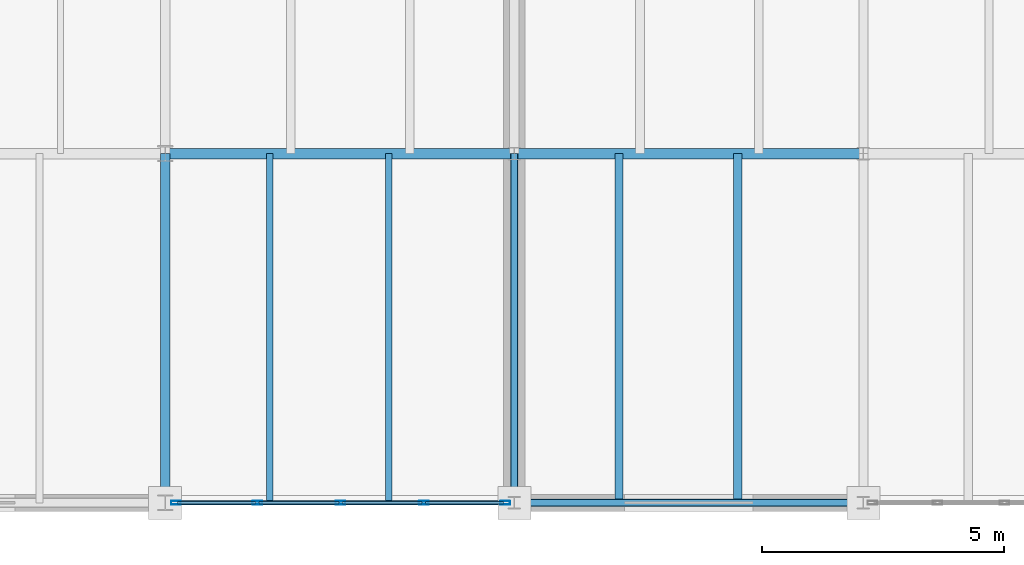
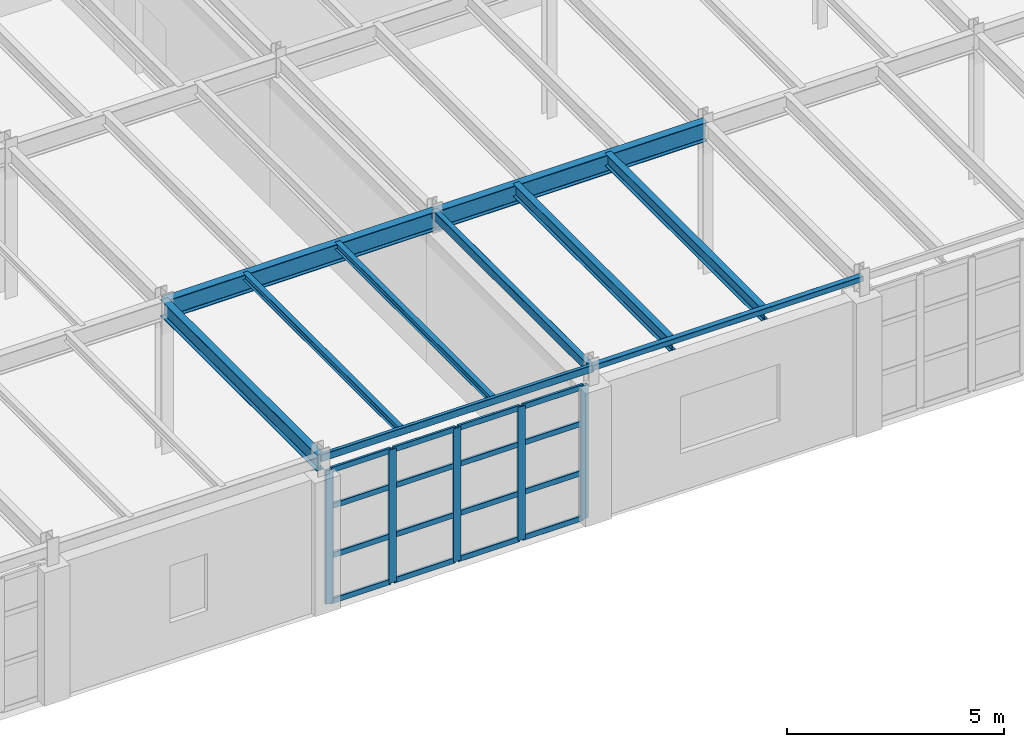
# One storey, part 29 of 137: 21 members, 10 beams, 1 element without a shape of its own.
"""IFC4 building model written with IfcOpenShell, lengths in metres."""

import ifcopenshell
import ifcopenshell.guid

model = None  # the IFC model being written
_history = None  # IfcOwnerHistory: only IFC2X3 demands one
_inside = {}  # id of a spatial element -> (the spatial element, [elements in it])
_under = {}  # id of a project, library or spatial element -> (it, [spatial elements below it])
_declared = {}  # id of a project -> (the project, [libraries it declares])
_typed = {}  # id of a type object -> (the type object, [elements of that type])
_made_of = {}  # id of a material, layer set ... -> (it, [elements and type objects made of it])


def new_model(schema):
    """Start an empty IFC model of exactly this schema.

    Asked for "IFC4X3", IfcOpenShell would pick the latest addendum, in which some entities
    have other attributes; the version numbers below select the first issue.
    IFC2X3 requires an IfcOwnerHistory on every rooted entity: one is made here for all.
    """
    global model, _history
    if schema == "IFC4X3":
        model = ifcopenshell.file(schema_version=(4, 3, 0, 0))
    else:
        model = ifcopenshell.file(schema=schema)
    _inside.clear()
    _under.clear()
    _declared.clear()
    _typed.clear()
    _made_of.clear()
    _history = None
    if model.schema == "IFC2X3":
        org = make("IfcOrganization", Name="unknown")
        user = make(
            "IfcPersonAndOrganization",
            ThePerson=make("IfcPerson", FamilyName="unknown"),
            TheOrganization=org,
        )
        app = make(
            "IfcApplication",
            ApplicationDeveloper=org,
            Version="unknown",
            ApplicationFullName="unknown",
            ApplicationIdentifier="unknown",
        )
        _history = make(
            "IfcOwnerHistory",
            OwningUser=user,
            OwningApplication=app,
            ChangeAction="ADDED",
            CreationDate=0,
        )
    return model


def make(cls, **values):
    """One entity of the class cls with the attributes given. An attribute that is None is left unset."""
    return model.create_entity(
        cls, **{name: value for name, value in values.items() if value is not None}
    )


def rooted(cls, **values):
    """An entity with a GlobalId (a new one), such as an element, a storey or a relation."""
    return make(cls, GlobalId=ifcopenshell.guid.new(), OwnerHistory=_history, **values)


def si_unit(unit_type, name, prefix=None):
    """IfcSIUnit, for example si_unit("LENGTHUNIT", "METRE", prefix="MILLI")."""
    return make("IfcSIUnit", UnitType=unit_type, Prefix=prefix, Name=name)


def assignment(units):
    """IfcUnitAssignment: the units of a project."""
    return None if units is None else make("IfcUnitAssignment", Units=units)


def point(xyz):
    """IfcCartesianPoint."""
    return None if xyz is None else make("IfcCartesianPoint", Coordinates=xyz)


def direction(xyz):
    """IfcDirection."""
    return None if xyz is None else make("IfcDirection", DirectionRatios=xyz)


def frame(location, z_axis=None, x_axis=None):
    """IfcAxis2Placement3D, a coordinate frame: its origin and axes. An axis left out is left unset."""
    return make(
        "IfcAxis2Placement3D",
        Location=point(location),
        Axis=direction(z_axis),
        RefDirection=direction(x_axis),
    )


def frame_2d(location, x_axis=None):
    """IfcAxis2Placement2D, a coordinate frame in the plane: its origin and x axis."""
    return make(
        "IfcAxis2Placement2D", Location=point(location), RefDirection=direction(x_axis)
    )


def origin():
    """The frame at (0, 0, 0) with its axes left unset."""
    return frame((0.0, 0.0, 0.0))


def origin_2d():
    """The frame at (0, 0) in the plane with its x axis left unset."""
    return frame_2d((0.0, 0.0))


def place(relative_to, where):
    """IfcLocalPlacement: puts the frame where relative to a parent placement (None: the world)."""
    return make(
        "IfcLocalPlacement", PlacementRelTo=relative_to, RelativePlacement=where
    )


def context(
    kind, dimensions, precision=None, world=None, true_north=None, identifier=None
):
    """IfcGeometricRepresentationContext, for example the 3D "Model" context."""
    return make(
        "IfcGeometricRepresentationContext",
        ContextIdentifier=identifier,
        ContextType=kind,
        CoordinateSpaceDimension=dimensions,
        Precision=precision,
        WorldCoordinateSystem=world,
        TrueNorth=true_north,
    )


def subcontext(parent, identifier, kind, view, scale=None):
    """IfcGeometricRepresentationSubContext, for example "Body" below "Model"."""
    return make(
        "IfcGeometricRepresentationSubContext",
        ContextIdentifier=identifier,
        ContextType=kind,
        ParentContext=parent,
        TargetScale=scale,
        TargetView=view,
    )


def project(units=None, contexts=None):
    """IfcProject with its units and contexts."""
    return rooted(
        "IfcProject",
        Name="project",
        RepresentationContexts=contexts,
        UnitsInContext=assignment(units),
    )


def spatial(cls, under=None, at=None, **own):
    """A site, building, storey or space (cls), placed at a placement, below another one or the project."""
    s = rooted(cls, ObjectPlacement=at, **own)
    if under is not None:
        _under.setdefault(under.id(), (under, []))[1].append(s)
    return s


def profile(cls, at=None, kind="AREA", **sizes):
    """A parametric profile (cls). Its sizes go by their IFC names, for example OverallWidth=200.0."""
    return make(cls, ProfileType=kind, Position=at, **sizes)


def hollow_rectangle(**sizes):
    """IfcRectangleHollowProfileDef."""
    return profile("IfcRectangleHollowProfileDef", **sizes)


def i_section(**sizes):
    """IfcIShapeProfileDef."""
    return profile("IfcIShapeProfileDef", **sizes)


def extrude(swept, where, along, depth):
    """IfcExtrudedAreaSolid: the profile swept, set in the frame where, extruded along a direction by depth."""
    return make(
        "IfcExtrudedAreaSolid",
        SweptArea=swept,
        Position=where,
        ExtrudedDirection=direction(along),
        Depth=depth,
    )


def shape(context_of_items, identifier, shape_type, items):
    """IfcShapeRepresentation: the items that make up one representation, for example the "Body"."""
    return make(
        "IfcShapeRepresentation",
        ContextOfItems=context_of_items,
        RepresentationIdentifier=identifier,
        RepresentationType=shape_type,
        Items=items,
    )


def material(Name=None, Category=None):
    """IfcMaterial."""
    return make("IfcMaterial", Name=Name, Category=Category)


def layer(
    of_material, thickness, ventilated=None, Name=None, Category=None, Priority=None
):
    """IfcMaterialLayer: one layer of a wall or slab, of a material (None: an air gap)."""
    return make(
        "IfcMaterialLayer",
        Material=of_material,
        LayerThickness=thickness,
        IsVentilated=ventilated,
        Name=Name,
        Category=Category,
        Priority=Priority,
    )


def layer_set(layers, Name=None):
    """IfcMaterialLayerSet."""
    return make("IfcMaterialLayerSet", MaterialLayers=layers, LayerSetName=Name)


def material_profile(
    of_material, cross_section, Name=None, Category=None, Priority=None
):
    """IfcMaterialProfile: a cross section and its material."""
    return make(
        "IfcMaterialProfile",
        Name=Name,
        Material=of_material,
        Profile=cross_section,
        Priority=Priority,
        Category=Category,
    )


def profile_set(profiles, Name=None, composite=None):
    """IfcMaterialProfileSet."""
    return make(
        "IfcMaterialProfileSet",
        Name=Name,
        MaterialProfiles=profiles,
        CompositeProfile=composite,
    )


def made_of(thing, what):
    """Note that an element or type object is made of a material, layer set ...; save() writes the relation."""
    if what is not None:
        _made_of.setdefault(what.id(), (what, []))[1].append(thing)
    return thing


def type_object(cls, material=None, **own):
    """A type object (cls), such as IfcWallType, which elements share."""
    return made_of(rooted(cls, **own), material)


def element(
    cls,
    number,
    at=None,
    inside=None,
    cuts=None,
    type_object=None,
    material=None,
    context=None,
    identifier="Body",
    shape_type=None,
    held_by="IfcProductDefinitionShape",
    body=None,
    shapes=None,
    **own,
):
    """One element of the class cls, such as IfcWall. Its Tag is "e" and its number.

    at: its placement. inside: the storey or other place that contains it. cuts: it is an
    opening in that element (IfcRelVoidsElement). A single representation is given by context,
    identifier, shape_type and body (its items); several are given by shapes. held_by: the class
    of the entity that holds the representations. save() writes the other relations.
    """
    e = rooted(cls, Tag="e%d" % number, ObjectPlacement=at, **own)
    if body is not None:
        shapes = [shape(context, identifier, shape_type, body)]
    if shapes is not None:
        e.Representation = make(held_by, Representations=shapes)
    if inside is not None:
        _inside.setdefault(inside.id(), (inside, []))[1].append(e)
    if cuts is not None:
        rooted(
            "IfcRelVoidsElement", RelatingBuildingElement=cuts, RelatedOpeningElement=e
        )
    if type_object is not None:
        _typed.setdefault(type_object.id(), (type_object, []))[1].append(e)
    return made_of(e, material)


def aggregate(whole, parts):
    """IfcRelAggregates: a whole, such as a stair, and the parts it consists of."""
    return rooted("IfcRelAggregates", RelatingObject=whole, RelatedObjects=parts)


def save(model, path):
    """Write the relations noted so far, then the file.

    IfcRelAggregates (storeys below a building ...), IfcRelContainedInSpatialStructure (elements
    in a storey), IfcRelDefinesByType, IfcRelAssociatesMaterial and IfcRelDeclares: one each for
    every whole, place, type object, material and project.
    """
    for whole, parts in _under.values():
        aggregate(whole, parts)
    for where, things in _inside.values():
        rooted(
            "IfcRelContainedInSpatialStructure",
            RelatedElements=things,
            RelatingStructure=where,
        )
    for kind, things in _typed.values():
        rooted("IfcRelDefinesByType", RelatedObjects=things, RelatingType=kind)
    for what, things in _made_of.values():
        rooted("IfcRelAssociatesMaterial", RelatedObjects=things, RelatingMaterial=what)
    for by, libraries in _declared.values():
        rooted("IfcRelDeclares", RelatingContext=by, RelatedDefinitions=libraries)
    model.write(path)


model = new_model("IFC4")

# Units and contexts
model_context = context("Model", 3, precision=1e-05, world=origin(), true_north=direction((0.0, 1.0)))
body_context = subcontext(model_context, "Body", "Model", "MODEL_VIEW")
ifc_project = project(units=[si_unit("LENGTHUNIT", "METRE"), si_unit("AREAUNIT", "SQUARE_METRE"), si_unit("VOLUMEUNIT", "CUBIC_METRE"), si_unit("PLANEANGLEUNIT", "RADIAN"), si_unit("MASSUNIT", "GRAM", prefix="KILO")], contexts=[model_context])

# Site, building, storey
site_placement = place(None, origin())
site = spatial("IfcSite", under=ifc_project, at=site_placement, CompositionType="ELEMENT")
building_placement = place(site_placement, origin())
building = spatial("IfcBuilding", under=site, at=building_placement, Name="Kemerveld Promenade Tramway Depot", CompositionType="ELEMENT")
storey_placement = place(building_placement, frame((0.0, 0.0, 5.39990234375)))
storey = spatial("IfcBuildingStorey", under=building, at=storey_placement, Name="L01", CompositionType="ELEMENT", Elevation=5.39990234375)

# Beams
ifc_material_1 = material(Name="Steel S355", Category="steel")
ifc_material_profile_1 = material_profile(ifc_material_1, i_section(OverallWidth=0.2099609375, OverallDepth=0.53662109375, WebThickness=0.0107421875, FlangeThickness=0.017333984375, FilletRadius=0.0126953125, at=origin_2d()), Name="533x210x101 UB")
ifc_profile_set_1 = profile_set([ifc_material_profile_1], Name="Steel S355")
beam_type_1 = type_object("IfcBeamType", Name="BM-G05", PredefinedType="BEAM", material=ifc_profile_set_1)
beam_1_placement = place(storey_placement, frame((50.39990234375, 7.199951171875, 3.99169921875), z_axis=(1.0, 0.0, 0.0), x_axis=(0.0, 1.0, 0.0)))
element("IfcBeam", 1, at=beam_1_placement, inside=storey, type_object=beam_type_1, Name="BMX-L01-08-09-B", PredefinedType="BEAM", context=body_context, shape_type="SweptSolid", body=[
    extrude(i_section(OverallWidth=0.2099609375, OverallDepth=0.53662109375, WebThickness=0.0107421875, FlangeThickness=0.017333984375, FilletRadius=0.0126953125, at=origin_2d()), origin(), (0.0, 0.0, 1.0), 7.2001953125),
])
beam_2_placement = place(storey_placement, frame((57.60009765625, 7.199951171875, 3.981689453125), z_axis=(1.0, 0.0, 0.0), x_axis=(0.0, 1.0, 0.0)))
element("IfcBeam", 2, at=beam_2_placement, inside=storey, type_object=beam_type_1, Name="BMX-L01-09-10-B", PredefinedType="BEAM", context=body_context, shape_type="SweptSolid", body=[
    extrude(i_section(OverallWidth=0.2099609375, OverallDepth=0.53662109375, WebThickness=0.0107421875, FlangeThickness=0.017333984375, FilletRadius=0.0126953125, at=origin_2d()), origin(), (0.0, 0.0, 1.0), 7.199951171875),
])
ifc_material_profile_2 = material_profile(ifc_material_1, i_section(OverallWidth=0.19140625, OverallDepth=0.4599609375, WebThickness=0.010009765625, FlangeThickness=0.01611328125, FilletRadius=0.01025390625, at=origin_2d()), Name="457x191x82 UB")
ifc_profile_set_2 = profile_set([ifc_material_profile_2], Name="Steel S355")
beam_type_2 = type_object("IfcBeamType", Name="BM-G06", PredefinedType="BEAM", material=ifc_profile_set_2)
beam_3_placement = place(storey_placement, frame((50.39990234375, 0.0, 4.030029296875), z_axis=(0.0, 1.0, 0.0), x_axis=(-1.0, 0.0, 0.0)))
element("IfcBeam", 3, at=beam_3_placement, inside=storey, type_object=beam_type_2, Name="BMY-L01-08-A-B", PredefinedType="BEAM", context=body_context, shape_type="SweptSolid", body=[
    extrude(i_section(OverallWidth=0.19140625, OverallDepth=0.4599609375, WebThickness=0.010009765625, FlangeThickness=0.01611328125, FilletRadius=0.01025390625, at=origin_2d()), origin(), (0.0, 0.0, 1.0), 7.199951171875),
])
ifc_material_profile_3 = material_profile(ifc_material_1, i_section(OverallWidth=0.13330078125, OverallDepth=0.203125, WebThickness=0.005615234375, FlangeThickness=0.0078125, FilletRadius=0.007568359375, at=origin_2d()), Name="203x133x25 UB")
ifc_profile_set_3 = profile_set([ifc_material_profile_3], Name="Steel S355")
beam_type_3 = type_object("IfcBeamType", Name="BM-J03", PredefinedType="JOIST", material=ifc_profile_set_3)
for number, where, z_axis, x_axis, name in (
    (4, (52.56005859375, 0.0, 4.158447265625), (0.0, 1.0, 0.0), (-1.0, 0.0, 0.0), "JST-L01-08-A-1"),
    (5, (55.008056640625, 0.0, 4.158447265625), (0.0, 1.0, 0.0), (-1.0, 0.0, 0.0), "JST-L01-08-A-2"),
):
    element("IfcBeam", number, at=place(storey_placement, frame(where, z_axis=z_axis, x_axis=x_axis)), inside=storey, type_object=beam_type_3, Name=name, PredefinedType="JOIST", context=body_context, shape_type="SweptSolid", body=[
        extrude(i_section(OverallWidth=0.13330078125, OverallDepth=0.203125, WebThickness=0.005615234375, FlangeThickness=0.0078125, FilletRadius=0.007568359375, at=origin_2d()), origin(), (0.0, 0.0, 1.0), 7.199951171875),
    ])
ifc_material_profile_4 = material_profile(ifc_material_1, i_section(OverallWidth=0.172119140625, OverallDepth=0.35791015625, WebThickness=0.008056640625, FlangeThickness=0.012939453125, FilletRadius=0.01025390625, at=origin_2d()), Name="356x171x57 UB")
ifc_profile_set_4 = profile_set([ifc_material_profile_4], Name="Steel S355")
beam_type_4 = type_object("IfcBeamType", Name="BM-J04", PredefinedType="JOIST", material=ifc_profile_set_4)
for number, where, z_axis, x_axis, name in (
    (6, (59.760009765625, 0.0, 4.071044921875), (0.0, 1.0, 0.0), (-1.0, 0.0, 0.0), "JST-L01-09-A-1"),
    (7, (62.2080078125, 0.0, 4.071044921875), (0.0, 1.0, 0.0), (-1.0, 0.0, 0.0), "JST-L01-09-A-2"),
):
    element("IfcBeam", number, at=place(storey_placement, frame(where, z_axis=z_axis, x_axis=x_axis)), inside=storey, type_object=beam_type_4, Name=name, PredefinedType="JOIST", context=body_context, shape_type="SweptSolid", body=[
        extrude(i_section(OverallWidth=0.172119140625, OverallDepth=0.35791015625, WebThickness=0.008056640625, FlangeThickness=0.012939453125, FilletRadius=0.01025390625, at=origin_2d()), origin(), (0.0, 0.0, 1.0), 7.199951171875),
    ])
ifc_material_profile_5 = material_profile(ifc_material_1, hollow_rectangle(XDim=0.14990234375, YDim=0.25, WallThickness=0.010009765625, InnerFilletRadius=0.0048828125, OuterFilletRadius=0.014892578125, at=origin_2d()), Name="250x150x10.0 RHS")
ifc_profile_set_5 = profile_set([ifc_material_profile_5], Name="Steel S355")
beam_type_5 = type_object("IfcBeamType", Name="BM-SP2", PredefinedType="SPANDREL", material=ifc_profile_set_5)
beam_4_placement = place(storey_placement, frame((57.60009765625, 0.0, 4.135009765625), z_axis=(0.0, 1.0, 0.0), x_axis=(-1.0, 0.0, 0.0)))
element("IfcBeam", 8, at=beam_4_placement, inside=storey, type_object=beam_type_5, Name="BMY-L01-09-A-B", PredefinedType="SPANDREL", context=body_context, shape_type="SweptSolid", body=[
    extrude(hollow_rectangle(XDim=0.14990234375, YDim=0.25, WallThickness=0.010009765625, InnerFilletRadius=0.0048828125, OuterFilletRadius=0.014892578125, at=origin_2d()), origin(), (0.0, 0.0, 1.0), 7.199951171875),
])
ifc_material_profile_6 = material_profile(ifc_material_1, hollow_rectangle(XDim=0.10009765625, YDim=0.199951171875, WallThickness=0.008056640625, InnerFilletRadius=0.00390625, OuterFilletRadius=0.011962890625, at=origin_2d()), Name="200x100x8.0 RHS")
ifc_profile_set_6 = profile_set([ifc_material_profile_6], Name="Steel S355")
beam_type_6 = type_object("IfcBeamType", Name="BM-SP3", PredefinedType="SPANDREL", material=ifc_profile_set_6)
beam_5_placement = place(storey_placement, frame((50.39990234375, 0.0, 4.16015625), z_axis=(1.0, 0.0, 0.0), x_axis=(0.0, 1.0, 0.0)))
element("IfcBeam", 9, at=beam_5_placement, inside=storey, type_object=beam_type_6, Name="BMX-L01-08-09-A", PredefinedType="SPANDREL", context=body_context, shape_type="SweptSolid", body=[
    extrude(hollow_rectangle(XDim=0.10009765625, YDim=0.199951171875, WallThickness=0.008056640625, InnerFilletRadius=0.00390625, OuterFilletRadius=0.011962890625, at=origin_2d()), origin(), (0.0, 0.0, 1.0), 7.2001953125),
])
ifc_material_profile_7 = material_profile(ifc_material_1, hollow_rectangle(XDim=0.14990234375, YDim=0.14990234375, WallThickness=0.008056640625, InnerFilletRadius=0.00390625, OuterFilletRadius=0.011962890625, at=origin_2d()), Name="150x150x8.0 SHS")
ifc_profile_set_7 = profile_set([ifc_material_profile_7], Name="Steel S355")
beam_type_7 = type_object("IfcBeamType", Name="BM-SP4", PredefinedType="SPANDREL", material=ifc_profile_set_7)
beam_6_placement = place(storey_placement, frame((57.60009765625, 0.0, 4.18505859375), z_axis=(1.0, 0.0, 0.0), x_axis=(0.0, 1.0, 0.0)))
element("IfcBeam", 10, at=beam_6_placement, inside=storey, type_object=beam_type_7, Name="BMX-L01-09-10-A", PredefinedType="SPANDREL", context=body_context, shape_type="SweptSolid", body=[
    extrude(hollow_rectangle(XDim=0.14990234375, YDim=0.14990234375, WallThickness=0.008056640625, InnerFilletRadius=0.00390625, OuterFilletRadius=0.011962890625, at=origin_2d()), origin(), (0.0, 0.0, 1.0), 7.199951171875),
])

# Curtain wall, members
ifc_material_2 = material(Name="Bronze anodised aluminium and solar glass", Category="aluminium")
ifc_layer = layer(ifc_material_2, 0.199951171875)
ifc_layer_set = layer_set([ifc_layer], Name="CW-SYS-04")
curtain_wall_type = type_object("IfcCurtainWallType", Name="CW-SYS-04", PredefinedType="USERDEFINED", material=ifc_layer_set)
curtain_wall_placement = place(storey_placement, origin())
curtain_wall = element("IfcCurtainWall", 11, at=curtain_wall_placement, inside=storey, type_object=curtain_wall_type, Name="CW-L01-V5S-01", ObjectType="GLAZED_CURTAIN_WALL", PredefinedType="USERDEFINED")
ifc_material_3 = material(Name="Bronze anodised aluminium", Category="aluminium")
ifc_material_profile_8 = material_profile(ifc_material_3, hollow_rectangle(XDim=0.074951171875, YDim=0.199951171875, WallThickness=0.0048828125, InnerFilletRadius=0.001953125, OuterFilletRadius=0.0048828125, at=origin_2d()), Name="CW-MUL-200x75")
ifc_profile_set_8 = profile_set([ifc_material_profile_8], Name="Bronze anodised aluminium")
member_type_1 = type_object("IfcMemberType", Name="CW-MUL-B", PredefinedType="MULLION", material=ifc_profile_set_8)
member_1_placement = place(storey_placement, frame((57.412353515625, 0.0, 0.0), z_axis=(0.0, 0.0, 1.0), x_axis=(0.0, -1.0, 0.0)))
member_1 = element("IfcMember", 12, at=member_1_placement, type_object=member_type_1, Name="CW04 mullion 1", PredefinedType="MULLION", context=body_context, shape_type="SweptSolid", body=[
    extrude(hollow_rectangle(XDim=0.074951171875, YDim=0.199951171875, WallThickness=0.0048828125, InnerFilletRadius=0.001953125, OuterFilletRadius=0.0048828125, at=origin_2d()), origin(), (0.0, 0.0, 1.0), 3.75),
])
member_2_placement = place(storey_placement, frame((55.7333984375, 0.0, 0.0), z_axis=(0.0, 0.0, 1.0), x_axis=(0.0, -1.0, 0.0)))
member_2 = element("IfcMember", 13, at=member_2_placement, type_object=member_type_1, Name="CW04 mullion 2", PredefinedType="MULLION", context=body_context, shape_type="SweptSolid", body=[
    extrude(hollow_rectangle(XDim=0.074951171875, YDim=0.199951171875, WallThickness=0.0048828125, InnerFilletRadius=0.001953125, OuterFilletRadius=0.0048828125, at=origin_2d()), origin(), (0.0, 0.0, 1.0), 3.75),
])
member_3_placement = place(storey_placement, frame((54.0166015625, 0.0, 0.0), z_axis=(0.0, 0.0, 1.0), x_axis=(0.0, -1.0, 0.0)))
member_3 = element("IfcMember", 14, at=member_3_placement, type_object=member_type_1, Name="CW04 mullion 3", PredefinedType="MULLION", context=body_context, shape_type="SweptSolid", body=[
    extrude(hollow_rectangle(XDim=0.074951171875, YDim=0.199951171875, WallThickness=0.0048828125, InnerFilletRadius=0.001953125, OuterFilletRadius=0.0048828125, at=origin_2d()), origin(), (0.0, 0.0, 1.0), 3.75),
])
member_4_placement = place(storey_placement, frame((52.300048828125, 0.0, 0.0), z_axis=(0.0, 0.0, 1.0), x_axis=(0.0, -1.0, 0.0)))
member_4 = element("IfcMember", 15, at=member_4_placement, type_object=member_type_1, Name="CW04 mullion 4", PredefinedType="MULLION", context=body_context, shape_type="SweptSolid", body=[
    extrude(hollow_rectangle(XDim=0.074951171875, YDim=0.199951171875, WallThickness=0.0048828125, InnerFilletRadius=0.001953125, OuterFilletRadius=0.0048828125, at=origin_2d()), origin(), (0.0, 0.0, 1.0), 3.75),
])
member_5_placement = place(storey_placement, frame((50.62109375, 0.0, 0.0), z_axis=(0.0, 0.0, 1.0), x_axis=(0.0, -1.0, 0.0)))
member_5 = element("IfcMember", 16, at=member_5_placement, type_object=member_type_1, Name="CW04 mullion 5", PredefinedType="MULLION", context=body_context, shape_type="SweptSolid", body=[
    extrude(hollow_rectangle(XDim=0.074951171875, YDim=0.199951171875, WallThickness=0.0048828125, InnerFilletRadius=0.001953125, OuterFilletRadius=0.0048828125, at=origin_2d()), origin(), (0.0, 0.0, 1.0), 3.75),
])
ifc_material_profile_9 = material_profile(ifc_material_3, hollow_rectangle(XDim=0.06494140625, YDim=0.14990234375, WallThickness=0.00439453125, InnerFilletRadius=0.001953125, OuterFilletRadius=0.00439453125, at=origin_2d()), Name="CW-TRN-150x65")
ifc_profile_set_9 = profile_set([ifc_material_profile_9], Name="Bronze anodised aluminium")
member_type_2 = type_object("IfcMemberType", Name="CW-TRN-B", PredefinedType="USERDEFINED", material=ifc_profile_set_9)
member_6_placement = place(storey_placement, frame((57.375, 0.0, 0.03271484375), z_axis=(-1.0, 0.0, 0.0), x_axis=(0.0, -1.0, 0.0)))
member_6 = element("IfcMember", 17, at=member_6_placement, type_object=member_type_2, Name="CW04 transom 1.1", ObjectType="TRANSOM", PredefinedType="USERDEFINED", context=body_context, shape_type="SweptSolid", body=[
    extrude(hollow_rectangle(XDim=0.06494140625, YDim=0.14990234375, WallThickness=0.00439453125, InnerFilletRadius=0.001953125, OuterFilletRadius=0.00439453125, at=origin_2d()), origin(), (0.0, 0.0, 1.0), 1.604248046875),
])
member_7_placement = place(storey_placement, frame((57.375, 0.0, 1.31298828125), z_axis=(-1.0, 0.0, 0.0), x_axis=(0.0, -1.0, 0.0)))
member_7 = element("IfcMember", 18, at=member_7_placement, type_object=member_type_2, Name="CW04 transom 1.2", ObjectType="TRANSOM", PredefinedType="USERDEFINED", context=body_context, shape_type="SweptSolid", body=[
    extrude(hollow_rectangle(XDim=0.06494140625, YDim=0.14990234375, WallThickness=0.00439453125, InnerFilletRadius=0.001953125, OuterFilletRadius=0.00439453125, at=origin_2d()), origin(), (0.0, 0.0, 1.0), 1.604248046875),
])
member_8_placement = place(storey_placement, frame((57.375, 0.0, 2.7001953125), z_axis=(-1.0, 0.0, 0.0), x_axis=(0.0, -1.0, 0.0)))
member_8 = element("IfcMember", 19, at=member_8_placement, type_object=member_type_2, Name="CW04 transom 1.3", ObjectType="TRANSOM", PredefinedType="USERDEFINED", context=body_context, shape_type="SweptSolid", body=[
    extrude(hollow_rectangle(XDim=0.06494140625, YDim=0.14990234375, WallThickness=0.00439453125, InnerFilletRadius=0.001953125, OuterFilletRadius=0.00439453125, at=origin_2d()), origin(), (0.0, 0.0, 1.0), 1.604248046875),
])
member_9_placement = place(storey_placement, frame((57.375, 0.0, 3.717529296875), z_axis=(-1.0, 0.0, 0.0), x_axis=(0.0, -1.0, 0.0)))
member_9 = element("IfcMember", 20, at=member_9_placement, type_object=member_type_2, Name="CW04 transom 1.4", ObjectType="TRANSOM", PredefinedType="USERDEFINED", context=body_context, shape_type="SweptSolid", body=[
    extrude(hollow_rectangle(XDim=0.06494140625, YDim=0.14990234375, WallThickness=0.00439453125, InnerFilletRadius=0.001953125, OuterFilletRadius=0.00439453125, at=origin_2d()), origin(), (0.0, 0.0, 1.0), 1.604248046875),
])
member_10_placement = place(storey_placement, frame((55.69580078125, 0.0, 0.03271484375), z_axis=(-1.0, 0.0, 0.0), x_axis=(0.0, -1.0, 0.0)))
member_10 = element("IfcMember", 21, at=member_10_placement, type_object=member_type_2, Name="CW04 transom 2.1", ObjectType="TRANSOM", PredefinedType="USERDEFINED", context=body_context, shape_type="SweptSolid", body=[
    extrude(hollow_rectangle(XDim=0.06494140625, YDim=0.14990234375, WallThickness=0.00439453125, InnerFilletRadius=0.001953125, OuterFilletRadius=0.00439453125, at=origin_2d()), origin(), (0.0, 0.0, 1.0), 1.6416015625),
])
member_11_placement = place(storey_placement, frame((55.69580078125, 0.0, 1.31298828125), z_axis=(-1.0, 0.0, 0.0), x_axis=(0.0, -1.0, 0.0)))
member_11 = element("IfcMember", 22, at=member_11_placement, type_object=member_type_2, Name="CW04 transom 2.2", ObjectType="TRANSOM", PredefinedType="USERDEFINED", context=body_context, shape_type="SweptSolid", body=[
    extrude(hollow_rectangle(XDim=0.06494140625, YDim=0.14990234375, WallThickness=0.00439453125, InnerFilletRadius=0.001953125, OuterFilletRadius=0.00439453125, at=origin_2d()), origin(), (0.0, 0.0, 1.0), 1.6416015625),
])
member_12_placement = place(storey_placement, frame((55.69580078125, 0.0, 2.7001953125), z_axis=(-1.0, 0.0, 0.0), x_axis=(0.0, -1.0, 0.0)))
member_12 = element("IfcMember", 23, at=member_12_placement, type_object=member_type_2, Name="CW04 transom 2.3", ObjectType="TRANSOM", PredefinedType="USERDEFINED", context=body_context, shape_type="SweptSolid", body=[
    extrude(hollow_rectangle(XDim=0.06494140625, YDim=0.14990234375, WallThickness=0.00439453125, InnerFilletRadius=0.001953125, OuterFilletRadius=0.00439453125, at=origin_2d()), origin(), (0.0, 0.0, 1.0), 1.6416015625),
])
member_13_placement = place(storey_placement, frame((55.69580078125, 0.0, 3.717529296875), z_axis=(-1.0, 0.0, 0.0), x_axis=(0.0, -1.0, 0.0)))
member_13 = element("IfcMember", 24, at=member_13_placement, type_object=member_type_2, Name="CW04 transom 2.4", ObjectType="TRANSOM", PredefinedType="USERDEFINED", context=body_context, shape_type="SweptSolid", body=[
    extrude(hollow_rectangle(XDim=0.06494140625, YDim=0.14990234375, WallThickness=0.00439453125, InnerFilletRadius=0.001953125, OuterFilletRadius=0.00439453125, at=origin_2d()), origin(), (0.0, 0.0, 1.0), 1.6416015625),
])
member_14_placement = place(storey_placement, frame((53.979248046875, 0.0, 0.03271484375), z_axis=(-1.0, 0.0, 0.0), x_axis=(0.0, -1.0, 0.0)))
member_14 = element("IfcMember", 25, at=member_14_placement, type_object=member_type_2, Name="CW04 transom 3.1", ObjectType="TRANSOM", PredefinedType="USERDEFINED", context=body_context, shape_type="SweptSolid", body=[
    extrude(hollow_rectangle(XDim=0.06494140625, YDim=0.14990234375, WallThickness=0.00439453125, InnerFilletRadius=0.001953125, OuterFilletRadius=0.00439453125, at=origin_2d()), origin(), (0.0, 0.0, 1.0), 1.6416015625),
])
member_15_placement = place(storey_placement, frame((53.979248046875, 0.0, 1.31298828125), z_axis=(-1.0, 0.0, 0.0), x_axis=(0.0, -1.0, 0.0)))
member_15 = element("IfcMember", 26, at=member_15_placement, type_object=member_type_2, Name="CW04 transom 3.2", ObjectType="TRANSOM", PredefinedType="USERDEFINED", context=body_context, shape_type="SweptSolid", body=[
    extrude(hollow_rectangle(XDim=0.06494140625, YDim=0.14990234375, WallThickness=0.00439453125, InnerFilletRadius=0.001953125, OuterFilletRadius=0.00439453125, at=origin_2d()), origin(), (0.0, 0.0, 1.0), 1.6416015625),
])
member_16_placement = place(storey_placement, frame((53.979248046875, 0.0, 2.7001953125), z_axis=(-1.0, 0.0, 0.0), x_axis=(0.0, -1.0, 0.0)))
member_16 = element("IfcMember", 27, at=member_16_placement, type_object=member_type_2, Name="CW04 transom 3.3", ObjectType="TRANSOM", PredefinedType="USERDEFINED", context=body_context, shape_type="SweptSolid", body=[
    extrude(hollow_rectangle(XDim=0.06494140625, YDim=0.14990234375, WallThickness=0.00439453125, InnerFilletRadius=0.001953125, OuterFilletRadius=0.00439453125, at=origin_2d()), origin(), (0.0, 0.0, 1.0), 1.6416015625),
])
member_17_placement = place(storey_placement, frame((53.979248046875, 0.0, 3.717529296875), z_axis=(-1.0, 0.0, 0.0), x_axis=(0.0, -1.0, 0.0)))
member_17 = element("IfcMember", 28, at=member_17_placement, type_object=member_type_2, Name="CW04 transom 3.4", ObjectType="TRANSOM", PredefinedType="USERDEFINED", context=body_context, shape_type="SweptSolid", body=[
    extrude(hollow_rectangle(XDim=0.06494140625, YDim=0.14990234375, WallThickness=0.00439453125, InnerFilletRadius=0.001953125, OuterFilletRadius=0.00439453125, at=origin_2d()), origin(), (0.0, 0.0, 1.0), 1.6416015625),
])
member_18_placement = place(storey_placement, frame((52.2626953125, 0.0, 0.03271484375), z_axis=(-1.0, 0.0, 0.0), x_axis=(0.0, -1.0, 0.0)))
member_18 = element("IfcMember", 29, at=member_18_placement, type_object=member_type_2, Name="CW04 transom 4.1", ObjectType="TRANSOM", PredefinedType="USERDEFINED", context=body_context, shape_type="SweptSolid", body=[
    extrude(hollow_rectangle(XDim=0.06494140625, YDim=0.14990234375, WallThickness=0.00439453125, InnerFilletRadius=0.001953125, OuterFilletRadius=0.00439453125, at=origin_2d()), origin(), (0.0, 0.0, 1.0), 1.604248046875),
])
member_19_placement = place(storey_placement, frame((52.2626953125, 0.0, 1.31298828125), z_axis=(-1.0, 0.0, 0.0), x_axis=(0.0, -1.0, 0.0)))
member_19 = element("IfcMember", 30, at=member_19_placement, type_object=member_type_2, Name="CW04 transom 4.2", ObjectType="TRANSOM", PredefinedType="USERDEFINED", context=body_context, shape_type="SweptSolid", body=[
    extrude(hollow_rectangle(XDim=0.06494140625, YDim=0.14990234375, WallThickness=0.00439453125, InnerFilletRadius=0.001953125, OuterFilletRadius=0.00439453125, at=origin_2d()), origin(), (0.0, 0.0, 1.0), 1.604248046875),
])
member_20_placement = place(storey_placement, frame((52.2626953125, 0.0, 2.7001953125), z_axis=(-1.0, 0.0, 0.0), x_axis=(0.0, -1.0, 0.0)))
member_20 = element("IfcMember", 31, at=member_20_placement, type_object=member_type_2, Name="CW04 transom 4.3", ObjectType="TRANSOM", PredefinedType="USERDEFINED", context=body_context, shape_type="SweptSolid", body=[
    extrude(hollow_rectangle(XDim=0.06494140625, YDim=0.14990234375, WallThickness=0.00439453125, InnerFilletRadius=0.001953125, OuterFilletRadius=0.00439453125, at=origin_2d()), origin(), (0.0, 0.0, 1.0), 1.604248046875),
])
member_21_placement = place(storey_placement, frame((52.2626953125, 0.0, 3.717529296875), z_axis=(-1.0, 0.0, 0.0), x_axis=(0.0, -1.0, 0.0)))
member_21 = element("IfcMember", 32, at=member_21_placement, type_object=member_type_2, Name="CW04 transom 4.4", ObjectType="TRANSOM", PredefinedType="USERDEFINED", context=body_context, shape_type="SweptSolid", body=[
    extrude(hollow_rectangle(XDim=0.06494140625, YDim=0.14990234375, WallThickness=0.00439453125, InnerFilletRadius=0.001953125, OuterFilletRadius=0.00439453125, at=origin_2d()), origin(), (0.0, 0.0, 1.0), 1.604248046875),
])
aggregate(curtain_wall, [member_1, member_2, member_3, member_4, member_5, member_6, member_7, member_8, member_9, member_10, member_11, member_12, member_13, member_14, member_15, member_16, member_17, member_18, member_19, member_20, member_21])

save(model, "model.ifc")
